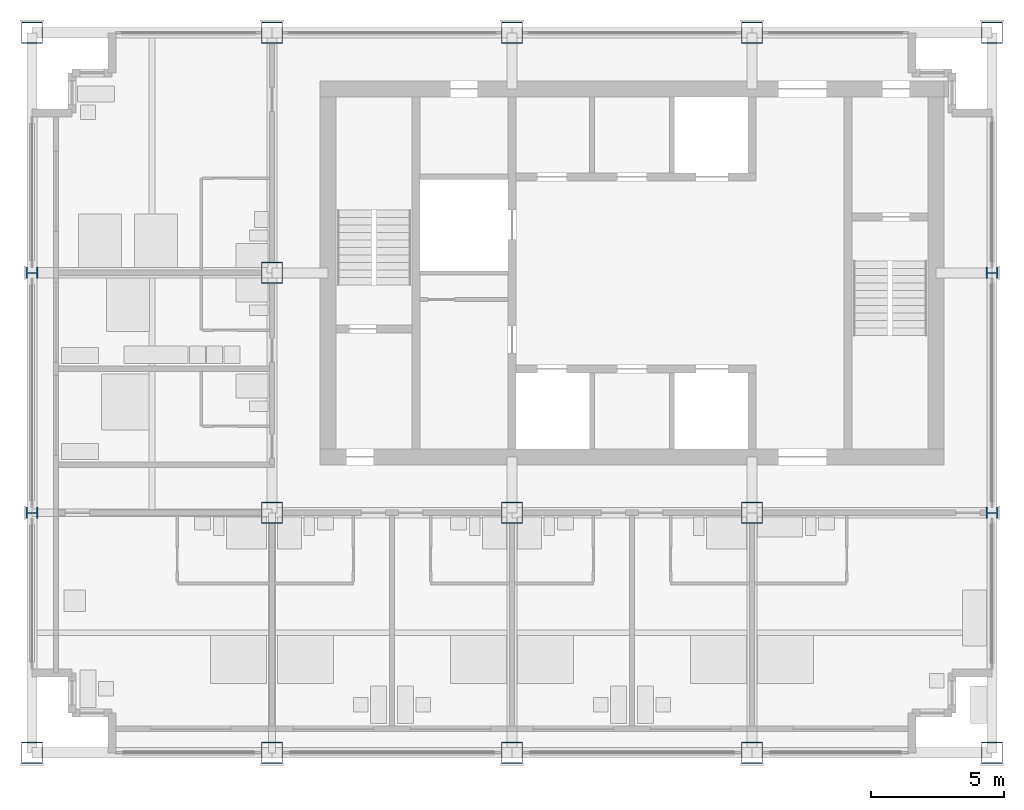
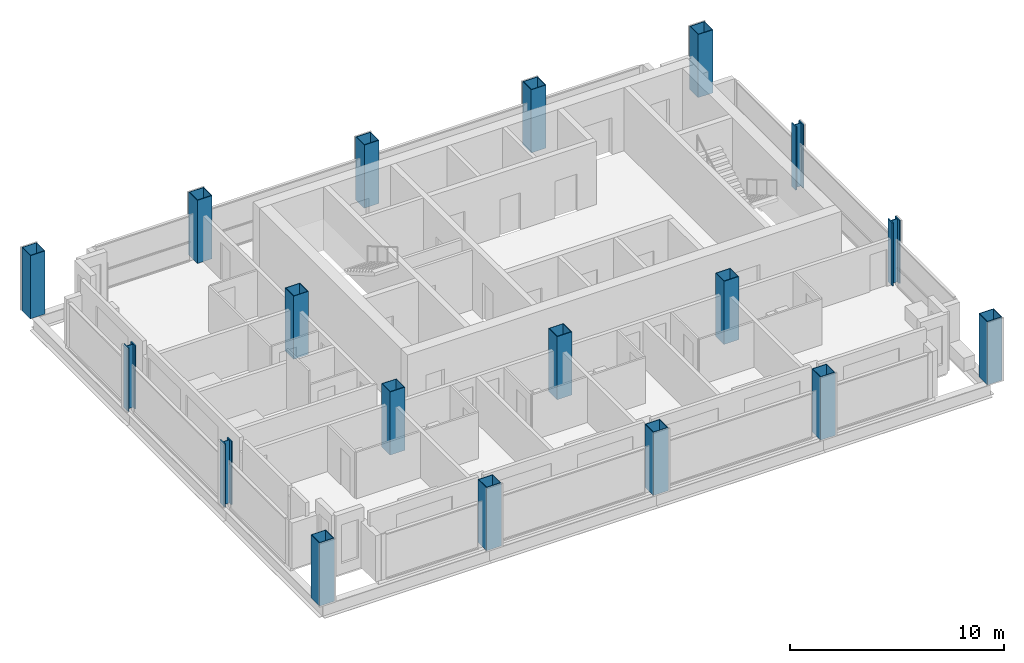
# One storey, part 1 of 12: 18 columns.
"""IFC4 building model written with IfcOpenShell, lengths in metres."""

from ifc_helpers import new_model, si_unit, direction, frame, origin, origin_2d, place, context, subcontext, project, spatial, hollow_rectangle, i_section, extrude, material, material_profile, profile_set, type_object, element, save


model = new_model("IFC4")

# Units and contexts
model_context = context("Model", 3, precision=1e-05, world=origin(), true_north=direction((0.0, 1.0)))
body_context = subcontext(model_context, "Body", "Model", "MODEL_VIEW")
ifc_project = project(units=[si_unit("LENGTHUNIT", "METRE"), si_unit("AREAUNIT", "SQUARE_METRE"), si_unit("VOLUMEUNIT", "CUBIC_METRE"), si_unit("PLANEANGLEUNIT", "RADIAN"), si_unit("MASSUNIT", "GRAM", prefix="KILO")], contexts=[model_context])

# Site, building, storey
site_placement = place(None, origin())
site = spatial("IfcSite", under=ifc_project, at=site_placement, CompositionType="ELEMENT")
building_placement = place(site_placement, origin())
building = spatial("IfcBuilding", under=site, at=building_placement, Name="Loomwork Tower", CompositionType="ELEMENT")
storey_placement = place(building_placement, frame((0.0, 0.0, 251.800048828125)))
storey = spatial("IfcBuildingStorey", under=building, at=storey_placement, Name="L69", CompositionType="ELEMENT", Elevation=251.800048828125)

# Columns
ifc_material_1 = material(Name="Steel ASTM A572 Grade 50 plate", Category="steel")
ifc_material_profile_1 = material_profile(ifc_material_1, hollow_rectangle(XDim=0.800048828125, YDim=0.800048828125, WallThickness=0.031982421875, at=origin_2d()), Name="BOX800x32")
ifc_profile_set_1 = profile_set([ifc_material_profile_1], Name="Steel ASTM A572 Grade 50 plate")
column_type_1 = type_object("IfcColumnType", Name="EXOSKELETON PIER BOX800x32", PredefinedType="COLUMN", material=ifc_profile_set_1)
for number, where, z_axis, x_axis, name in (
    (1, (0.0, 0.0, 0.0), (0.0, 0.0, 1.0), (1.0, 0.0, 0.0), "Exoskeleton Pier D/2 L69"),
    (2, (0.0, 27.0, 0.0), (0.0, 0.0, 1.0), (0.0, 1.0, 0.0), "Exoskeleton Pier G/2 L69"),
    (3, (9.0, 0.0, 0.0), (0.0, 0.0, 1.0), (1.0, 0.0, 0.0), "Exoskeleton Pier D/3 L69"),
    (4, (9.0, 27.0, 0.0), (0.0, 0.0, 1.0), (1.0, 0.0, 0.0), "Exoskeleton Pier G/3 L69"),
    (5, (18.0, 0.0, 0.0), (0.0, 0.0, 1.0), (1.0, 0.0, 0.0), "Exoskeleton Pier D/4 L69"),
    (6, (18.0, 27.0, 0.0), (0.0, 0.0, 1.0), (1.0, 0.0, 0.0), "Exoskeleton Pier G/4 L69"),
    (7, (27.0, 0.0, 0.0), (0.0, 0.0, 1.0), (1.0, 0.0, 0.0), "Exoskeleton Pier D/5 L69"),
    (8, (27.0, 27.0, 0.0), (0.0, 0.0, 1.0), (1.0, 0.0, 0.0), "Exoskeleton Pier G/5 L69"),
    (9, (36.0, 0.0, 0.0), (0.0, 0.0, 1.0), (1.0, 0.0, 0.0), "Exoskeleton Pier D/6 L69"),
    (10, (36.0, 27.0, 0.0), (0.0, 0.0, 1.0), (1.0, 0.0, 0.0), "Exoskeleton Pier G/6 L69"),
):
    element("IfcColumn", number, at=place(storey_placement, frame(where, z_axis=z_axis, x_axis=x_axis)), inside=storey, type_object=column_type_1, Name=name, PredefinedType="COLUMN", context=body_context, shape_type="SweptSolid", body=[
        extrude(hollow_rectangle(XDim=0.800048828125, YDim=0.800048828125, WallThickness=0.031982421875, at=origin_2d()), origin(), (0.0, 0.0, 1.0), 3.599853515625),
    ])
ifc_material_2 = material(Name="Steel ASTM A992", Category="steel")
ifc_material_profile_2 = material_profile(ifc_material_2, i_section(OverallWidth=0.41650390625, OverallDepth=0.444580078125, WebThickness=0.0390625, FlangeThickness=0.062744140625, at=origin_2d()), Name="W14x342")
ifc_profile_set_2 = profile_set([ifc_material_profile_2], Name="Steel ASTM A992")
column_type_2 = type_object("IfcColumnType", Name="EXOSKELETON PIER W14x342", PredefinedType="COLUMN", material=ifc_profile_set_2)
for number, where, z_axis, x_axis, name in (
    (11, (0.0, 9.0, 0.0), (0.0, 0.0, 1.0), (0.0, 1.0, 0.0), "Exoskeleton Pier E/2 L69"),
    (12, (0.0, 18.0, 0.0), (0.0, 0.0, 1.0), (0.0, 1.0, 0.0), "Exoskeleton Pier F/2 L69"),
    (13, (36.0, 9.0, 0.0), (0.0, 0.0, 1.0), (0.0, 1.0, 0.0), "Exoskeleton Pier E/6 L69"),
    (14, (36.0, 18.0, 0.0), (0.0, 0.0, 1.0), (0.0, 1.0, 0.0), "Exoskeleton Pier F/6 L69"),
):
    element("IfcColumn", number, at=place(storey_placement, frame(where, z_axis=z_axis, x_axis=x_axis)), inside=storey, type_object=column_type_2, Name=name, PredefinedType="COLUMN", context=body_context, shape_type="SweptSolid", body=[
        extrude(i_section(OverallWidth=0.41650390625, OverallDepth=0.444580078125, WebThickness=0.0390625, FlangeThickness=0.062744140625, at=origin_2d()), origin(), (0.0, 0.0, 1.0), 3.599853515625),
    ])
ifc_material_3 = material(Name="Steel ASTM A572 Grade 50 plate", Category="steel")
ifc_material_profile_3 = material_profile(ifc_material_3, hollow_rectangle(XDim=0.800048828125, YDim=0.800048828125, WallThickness=0.031982421875, at=origin_2d()), Name="BOX800x32")
ifc_profile_set_3 = profile_set([ifc_material_profile_3], Name="Steel ASTM A572 Grade 50 plate")
column_type_3 = type_object("IfcColumnType", Name="TOWER COLUMN BOX800x32", PredefinedType="COLUMN", material=ifc_profile_set_3)
for number, where, z_axis, x_axis, name in (
    (15, (9.0, 9.0, 0.0), (0.0, 0.0, 1.0), (1.0, 0.0, 0.0), "Tower Column E/3 L69"),
    (16, (9.0, 18.0, 0.0), (0.0, 0.0, 1.0), (1.0, 0.0, 0.0), "Tower Column F/3 L69"),
    (17, (18.0, 9.0, 0.0), (0.0, 0.0, 1.0), (1.0, 0.0, 0.0), "Tower Column E/4 L69"),
    (18, (27.0, 9.0, 0.0), (0.0, 0.0, 1.0), (1.0, 0.0, 0.0), "Tower Column E/5 L69"),
):
    element("IfcColumn", number, at=place(storey_placement, frame(where, z_axis=z_axis, x_axis=x_axis)), inside=storey, type_object=column_type_3, Name=name, PredefinedType="COLUMN", context=body_context, shape_type="SweptSolid", body=[
        extrude(hollow_rectangle(XDim=0.800048828125, YDim=0.800048828125, WallThickness=0.031982421875, at=origin_2d()), origin(), (0.0, 0.0, 1.0), 3.599853515625),
    ])

save(model, "model.ifc")
